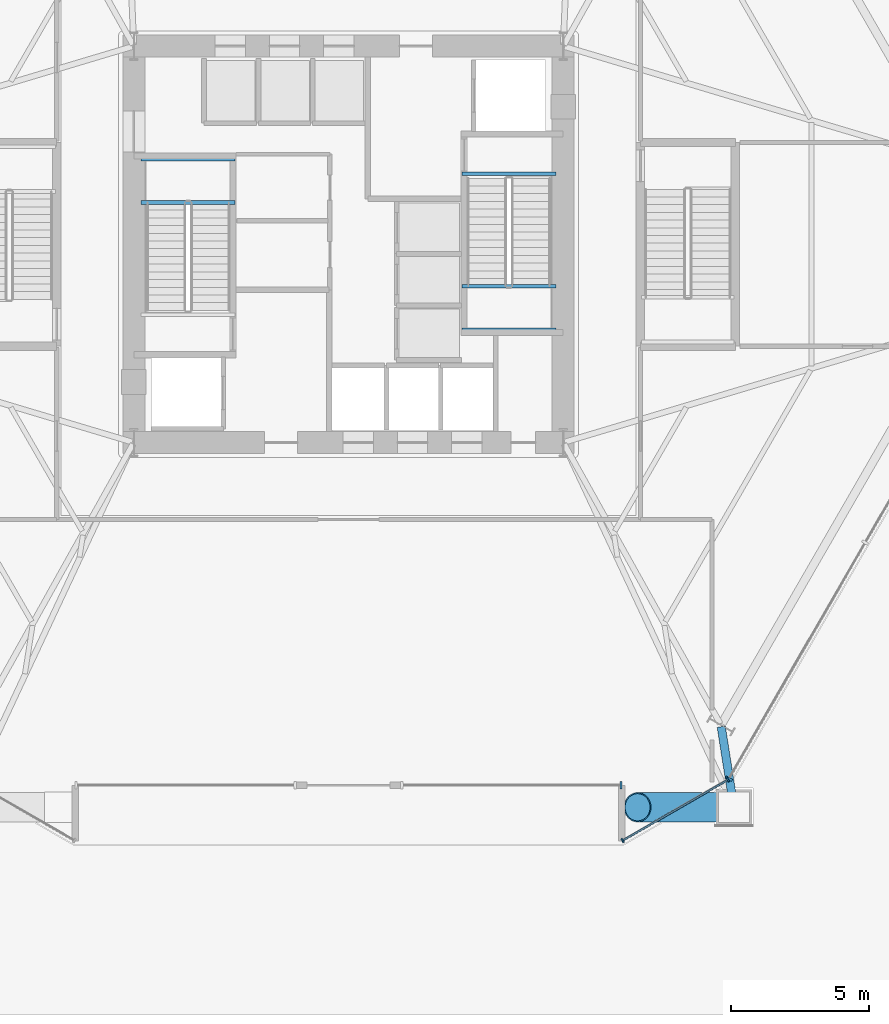
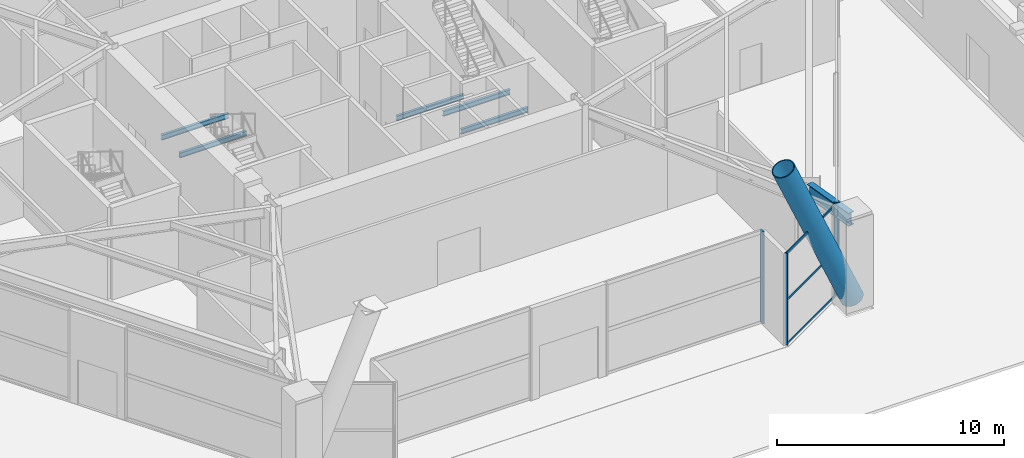
# One storey, part 8 of 26: 8 members, 6 beams, 3 elements without a shape of their own.
"""IFC4 building model written with IfcOpenShell, lengths in metres."""

from ifc_helpers import new_model, si_unit, direction, frame, origin, origin_2d, place, context, subcontext, project, spatial, rectangle, hollow_circle, i_section, extrude, material, layer, layer_set, material_profile, profile_set, type_object, element, aggregate, save


model = new_model("IFC4")

# Units and contexts
model_context = context("Model", 3, precision=1e-05, world=origin(), true_north=direction((0.0, 1.0)))
body_context = subcontext(model_context, "Body", "Model", "MODEL_VIEW")
ifc_project = project(units=[si_unit("LENGTHUNIT", "METRE"), si_unit("AREAUNIT", "SQUARE_METRE"), si_unit("VOLUMEUNIT", "CUBIC_METRE"), si_unit("PLANEANGLEUNIT", "RADIAN"), si_unit("MASSUNIT", "GRAM", prefix="KILO")], contexts=[model_context])

# Site, building, storey
site_placement = place(None, origin())
site = spatial("IfcSite", under=ifc_project, at=site_placement, CompositionType="ELEMENT")
building_placement = place(site_placement, origin())
building = spatial("IfcBuilding", under=site, at=building_placement, Name="Kranzbogen Civic Tower", CompositionType="ELEMENT")
storey_placement = place(building_placement, origin())
storey = spatial("IfcBuildingStorey", under=building, at=storey_placement, Name="L00", CompositionType="ELEMENT", Elevation=0.0)

# Curtain wall, members
ifc_material_1 = material(Name="Pale Anodised Aluminium", Category="aluminium")
ifc_layer_1 = layer(ifc_material_1, 0.219970703125, Name="Pale Anodised Aluminium")
ifc_layer_set_1 = layer_set([ifc_layer_1], Name="Pale Anodised Aluminium")
curtain_wall_type_1 = type_object("IfcCurtainWallType", Name="Chamfer Facet Stick Curtain Wall System CW-06", PredefinedType="USERDEFINED", material=ifc_layer_set_1)
curtain_wall_1_placement = place(storey_placement, origin())
curtain_wall_1 = element("IfcCurtainWall", 1, at=curtain_wall_1_placement, inside=storey, type_object=curtain_wall_type_1, Name="L00 curtain wall CW-L00-C5", ObjectType="STICK CURTAIN WALL", PredefinedType="USERDEFINED")
ifc_material_profile_1 = material_profile(ifc_material_1, rectangle(XDim=0.06005859375, YDim=0.159912109375, at=origin_2d()), Name="ALU-M 60x160")
ifc_profile_set_1 = profile_set([ifc_material_profile_1], Name="Pale Anodised Aluminium")
member_type_1 = type_object("IfcMemberType", Name="Curtain Wall Mullion ALU-M 60x160", PredefinedType="MULLION", material=ifc_profile_set_1)
member_1_placement = place(storey_placement, frame((34.9560546875, 3.342041015625, 0.0), z_axis=(0.0, 0.0, 1.0), x_axis=(0.865992001897, 0.500057849305, 0.0)))
member_1 = element("IfcMember", 2, at=member_1_placement, type_object=member_type_1, Name="CW-06 mullion 1", PredefinedType="MULLION", context=body_context, shape_type="SweptSolid", body=[
    extrude(rectangle(XDim=0.06005859375, YDim=0.159912109375, at=origin_2d()), origin(), (0.0, 0.0, 1.0), 4.93994140625),
])
member_2_placement = place(storey_placement, frame((38.778076171875, 5.549072265625, 0.0), z_axis=(0.0, 0.0, 1.0), x_axis=(0.865992001897, 0.500057849305, 0.0)))
member_2 = element("IfcMember", 3, at=member_2_placement, type_object=member_type_1, Name="CW-06 mullion 2", PredefinedType="MULLION", context=body_context, shape_type="SweptSolid", body=[
    extrude(rectangle(XDim=0.06005859375, YDim=0.159912109375, at=origin_2d()), origin(), (0.0, 0.0, 1.0), 4.93994140625),
])

# Curtain wall, member
ifc_layer_2 = layer(ifc_material_1, 0.219970703125, Name="Pale Anodised Aluminium")
ifc_layer_set_2 = layer_set([ifc_layer_2], Name="Pale Anodised Aluminium")
curtain_wall_type_2 = type_object("IfcCurtainWallType", Name="Podium Stick Curtain Wall System CW-01", PredefinedType="USERDEFINED", material=ifc_layer_set_2)
curtain_wall_2_placement = place(storey_placement, origin())
curtain_wall_2 = element("IfcCurtainWall", 4, at=curtain_wall_2_placement, inside=storey, type_object=curtain_wall_type_2, Name="L00 curtain wall CW-L00-F5-S2", ObjectType="STICK CURTAIN WALL", PredefinedType="USERDEFINED")
ifc_material_profile_2 = material_profile(ifc_material_1, rectangle(XDim=0.0849609375, YDim=0.260009765625, at=origin_2d()), Name="ALU-M 85x260")
ifc_profile_set_2 = profile_set([ifc_material_profile_2], Name="Pale Anodised Aluminium")
member_type_2 = type_object("IfcMemberType", Name="Curtain Wall Mullion ALU-M 85x260", PredefinedType="MULLION", material=ifc_profile_set_2)
member_3_placement = place(storey_placement, frame((34.89990234375, 5.35009765625, 0.0), z_axis=(0.0, 0.0, 1.0), x_axis=(1.0, 0.0, 0.0)))
member_3 = element("IfcMember", 5, at=member_3_placement, type_object=member_type_2, Name="CW-01 mullion 2", PredefinedType="MULLION", context=body_context, shape_type="SweptSolid", body=[
    extrude(rectangle(XDim=0.0849609375, YDim=0.260009765625, at=origin_2d()), origin(), (0.0, 0.0, 1.0), 4.93994140625),
])
aggregate(curtain_wall_2, [member_3])

curtain_wall_3_placement = place(storey_placement, origin())
curtain_wall_3 = element("IfcCurtainWall", 6, at=curtain_wall_3_placement, inside=storey, type_object=curtain_wall_type_2, Name="L00 curtain wall CW-L00-F6", ObjectType="STICK CURTAIN WALL", PredefinedType="USERDEFINED")
member_4_placement = place(storey_placement, frame((38.819091796875, 5.590087890625, 0.0), z_axis=(0.0, 0.0, 1.0), x_axis=(0.500005767433, 0.86602207393, 0.0)))
member_4 = element("IfcMember", 7, at=member_4_placement, type_object=member_type_2, Name="CW-01 mullion 1", PredefinedType="MULLION", context=body_context, shape_type="SweptSolid", body=[
    extrude(rectangle(XDim=0.0849609375, YDim=0.260009765625, at=origin_2d()), origin(), (0.0, 0.0, 1.0), 4.93994140625),
])
aggregate(curtain_wall_3, [member_4])

# Member
ifc_material_profile_3 = material_profile(ifc_material_1, rectangle(XDim=0.06005859375, YDim=0.1201171875, at=origin_2d()), Name="ALU-T 60x120")
ifc_profile_set_3 = profile_set([ifc_material_profile_3], Name="Pale Anodised Aluminium")
member_type_3 = type_object("IfcMemberType", Name="Curtain Wall Transom ALU-T 60x120", PredefinedType="USERDEFINED", material=ifc_profile_set_3)
member_5_placement = place(storey_placement, frame((34.98193359375, 3.35693359375, 0.030029296875), z_axis=(0.865987588642, 0.500065492029, 0.0), x_axis=(-0.500065492029, 0.865987588642, 0.0)))
member_5 = element("IfcMember", 8, at=member_5_placement, type_object=member_type_3, Name="CW-06 transom 1.1", ObjectType="TRANSOM", PredefinedType="USERDEFINED", context=body_context, shape_type="SweptSolid", body=[
    extrude(rectangle(XDim=0.06005859375, YDim=0.1201171875, at=origin_2d()), origin(), (0.0, 0.0, 1.0), 4.353515625),
])

member_6_placement = place(storey_placement, frame((34.98193359375, 3.35693359375, 2.39990234375), z_axis=(0.865987588642, 0.500065492029, 0.0), x_axis=(-0.500065492029, 0.865987588642, 0.0)))
member_6 = element("IfcMember", 9, at=member_6_placement, type_object=member_type_3, Name="CW-06 transom 1.2", ObjectType="TRANSOM", PredefinedType="USERDEFINED", context=body_context, shape_type="SweptSolid", body=[
    extrude(rectangle(XDim=0.06005859375, YDim=0.1201171875, at=origin_2d()), origin(), (0.0, 0.0, 1.0), 4.353515625),
])

member_7_placement = place(storey_placement, frame((34.98193359375, 3.35693359375, 4.909912109375), z_axis=(0.865987588642, 0.500065492029, 0.0), x_axis=(-0.500065492029, 0.865987588642, 0.0)))
member_7 = element("IfcMember", 10, at=member_7_placement, type_object=member_type_3, Name="CW-06 transom 1.3", ObjectType="TRANSOM", PredefinedType="USERDEFINED", context=body_context, shape_type="SweptSolid", body=[
    extrude(rectangle(XDim=0.06005859375, YDim=0.1201171875, at=origin_2d()), origin(), (0.0, 0.0, 1.0), 4.353515625),
])

aggregate(curtain_wall_1, [member_1, member_2, member_5, member_6, member_7])

# Beam
ifc_material_2 = material(Name="Steel S355", Category="steel")
ifc_material_profile_4 = material_profile(ifc_material_2, i_section(OverallWidth=0.300048828125, OverallDepth=0.699951171875, WebThickness=0.01708984375, FlangeThickness=0.031982421875, at=origin_2d()), Name="HEB 700")
ifc_profile_set_4 = profile_set([ifc_material_profile_4], Name="Steel S355")
beam_type_1 = type_object("IfcBeamType", Name="Perimeter Tube Spandrel Beam HEB 700", PredefinedType="SPANDREL", material=ifc_profile_set_4)
beam_placement = place(storey_placement, frame((38.990966796875, 4.60888671875, 4.590087890625), z_axis=(-0.155310516678, 0.9878657011, 0.0), x_axis=(-0.9878657011, -0.155310516678, 0.0)))
element("IfcBeam", 11, at=beam_placement, inside=storey, type_object=beam_type_1, Name="L00 perimeter spandrel beam 04", PredefinedType="SPANDREL", context=body_context, shape_type="SweptSolid", body=[
    extrude(i_section(OverallWidth=0.300048828125, OverallDepth=0.699951171875, WebThickness=0.01708984375, FlangeThickness=0.031982421875, at=origin_2d()), origin(), (0.0, 0.0, 1.0), 2.9033203125),
])

# Member
ifc_material_3 = material(Name="Steel S460", Category="steel")
ifc_material_profile_5 = material_profile(ifc_material_3, hollow_circle(Radius=0.533447265625, WallThickness=0.0400390625, at=origin_2d()), Name="CHS 1067x40")
ifc_profile_set_5 = profile_set([ifc_material_profile_5], Name="Steel S460")
member_type_4 = type_object("IfcMemberType", Name="Portal Arch Rib Segment CHS 1067x40", PredefinedType="USERDEFINED", material=ifc_profile_set_5)
member_8_placement = place(storey_placement, frame((35.5, 4.550048828125, 8.5380859375), z_axis=(0.395083104798, 0.0, -0.918645383324), x_axis=(0.0, 1.0, 0.0)))
element("IfcMember", 12, at=member_8_placement, inside=storey, type_object=member_type_4, Name="ARC-1: Giant South Portal Arch rib segment 8", ObjectType="ARCH_SEGMENT", PredefinedType="USERDEFINED", context=body_context, shape_type="SweptSolid", body=[
    extrude(hollow_circle(Radius=0.533447265625, WallThickness=0.0400390625, at=origin_2d()), origin(), (0.0, 0.0, 1.0), 8.85888671875),
])

# Beams
ifc_material_profile_6 = material_profile(ifc_material_2, i_section(OverallWidth=0.135009765625, OverallDepth=0.27001953125, WebThickness=0.006591796875, FlangeThickness=0.01025390625, at=origin_2d()), Name="IPE 270")
ifc_profile_set_6 = profile_set([ifc_material_profile_6], Name="Steel S355")
beam_type_2 = type_object("IfcBeamType", Name="Stair Landing Support Beam IPE 270", PredefinedType="JOIST", material=ifc_profile_set_6)
for number, where, z_axis, x_axis, name in (
    (13, (20.8798828125, 26.52001953125, 2.264892578125), (-1.0, 0.0, 0.0), (0.0, -1.0, 0.0), "L00 ST-T1 landing support beam 1.1"),
    (14, (20.8798828125, 28.10009765625, 2.264892578125), (-1.0, 0.0, 0.0), (0.0, -1.0, 0.0), "L00 ST-T1 landing support beam 1.2"),
    (15, (29.1201171875, 27.56005859375, -0.455078125), (1.0, 0.0, 0.0), (0.0, 1.0, 0.0), "L00 ST-T2 stair floor header beam"),
    (16, (29.1201171875, 23.47998046875, 2.264892578125), (1.0, 0.0, 0.0), (0.0, 1.0, 0.0), "L00 ST-T2 landing support beam 1.1"),
    (17, (29.1201171875, 21.89990234375, 2.264892578125), (1.0, 0.0, 0.0), (0.0, 1.0, 0.0), "L00 ST-T2 landing support beam 1.2"),
):
    element("IfcBeam", number, at=place(storey_placement, frame(where, z_axis=z_axis, x_axis=x_axis)), inside=storey, type_object=beam_type_2, Name=name, PredefinedType="JOIST", context=body_context, shape_type="SweptSolid", body=[
        extrude(i_section(OverallWidth=0.135009765625, OverallDepth=0.27001953125, WebThickness=0.006591796875, FlangeThickness=0.01025390625, at=origin_2d()), origin(), (0.0, 0.0, 1.0), 3.409912109375),
    ])

save(model, "model.ifc")
